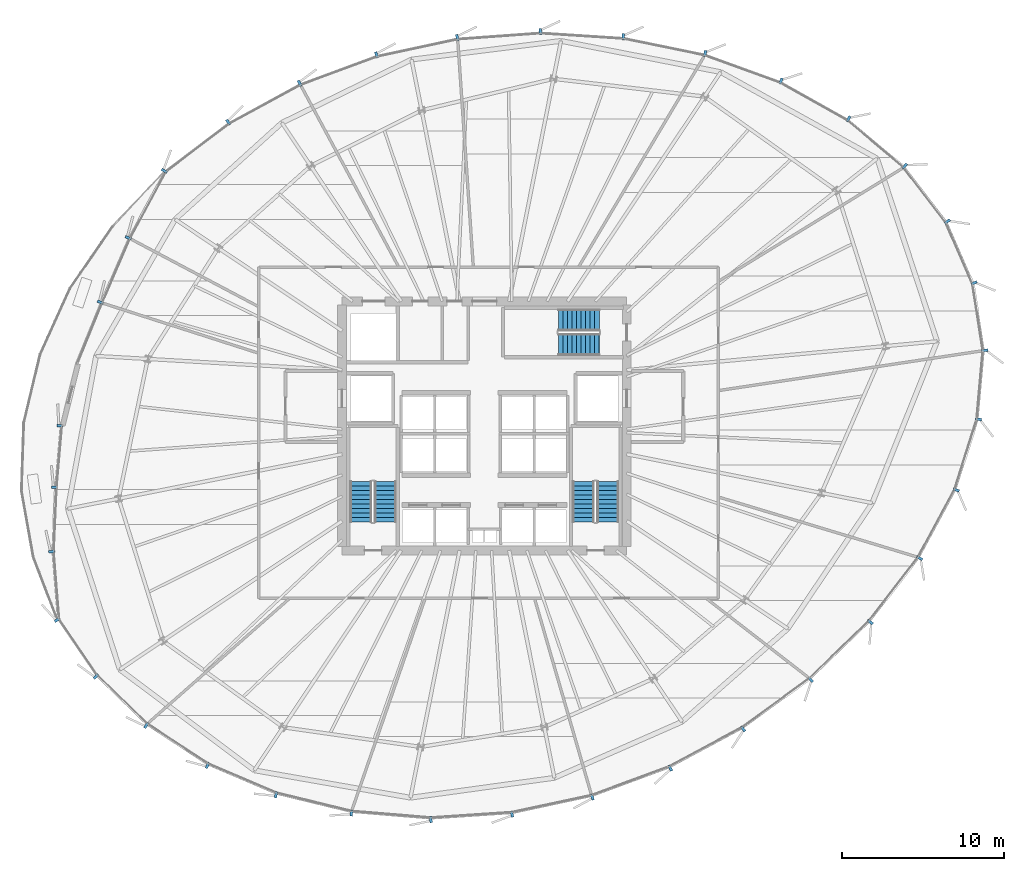
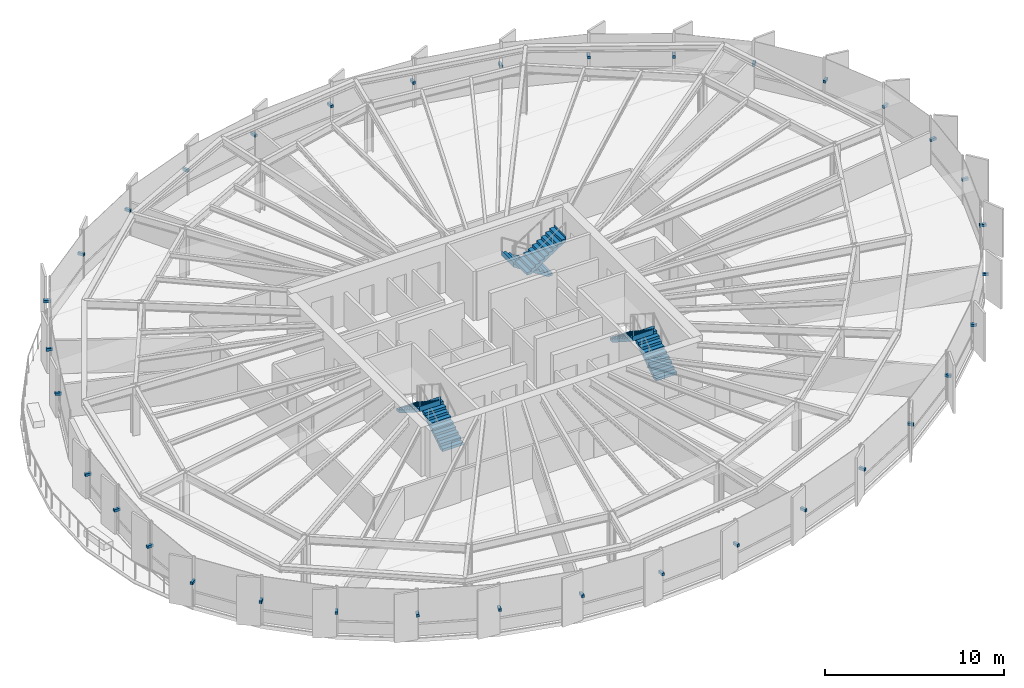
# One storey, part 31 of 35: 35 discrete accessories, 6 stair flights, 3 elements without a shape of their own.
"""IFC4 building model written with IfcOpenShell, lengths in metres."""

from ifc_helpers import new_model, si_unit, direction, frame, origin, origin_2d, place, context, subcontext, project, spatial, polyline, rectangle, outline, extrude, source, transform, mapped, material, type_object, element, aggregate, save


model = new_model("IFC4")

# Units and contexts
model_context = context("Model", 3, precision=1e-05, world=origin(), true_north=direction((0.0, 1.0)))
body_context = subcontext(model_context, "Body", "Model", "MODEL_VIEW")
ifc_project = project(units=[si_unit("LENGTHUNIT", "METRE"), si_unit("AREAUNIT", "SQUARE_METRE"), si_unit("VOLUMEUNIT", "CUBIC_METRE"), si_unit("PLANEANGLEUNIT", "RADIAN"), si_unit("MASSUNIT", "GRAM", prefix="KILO"), si_unit("THERMODYNAMICTEMPERATUREUNIT", "KELVIN")], contexts=[model_context])

# Site, building, storey
site_placement = place(None, origin())
site = spatial("IfcSite", under=ifc_project, at=site_placement, CompositionType="ELEMENT")
building_placement = place(site_placement, origin())
building = spatial("IfcBuilding", under=site, at=building_placement, Name="Kethvar Cultural Tower", CompositionType="ELEMENT")
storey_placement = place(building_placement, frame((0.0, 0.0, 100.0)))
storey = spatial("IfcBuildingStorey", under=building, at=storey_placement, Name="L24", CompositionType="ELEMENT", Elevation=100.0)

# Stair, stair flights
ifc_material_1 = material(Name="Concrete C40/50", Category="concrete")
stair_type = type_object("IfcStairType", Name="ST-DOGLEG-135", PredefinedType="HALF_TURN_STAIR", material=ifc_material_1)
stair_1_placement = place(storey_placement, origin())
stair_1 = element("IfcStair", 1, at=stair_1_placement, inside=storey, type_object=stair_type, Name="L24 Core Exit Stair 1", PredefinedType="HALF_TURN_STAIR")
stair_flight_type = type_object("IfcStairFlightType", Name="FL-STRAIGHT-135", PredefinedType="STRAIGHT", material=ifc_material_1)
stair_flight_1_placement = place(storey_placement, frame((40.675048828125, 21.85009765625, 0.0), z_axis=(0.0, 0.0, 1.0), x_axis=(0.0, 1.0, 0.0)))
stair_flight_1 = element("IfcStairFlight", 2, at=stair_flight_1_placement, type_object=stair_flight_type, Name="ST-01 flight 1", NumberOfRisers=10, NumberOfTreads=9, PredefinedType="STRAIGHT", RiserHeight=0.18, TreadLength=0.28, context=body_context, shape_type="SweptSolid", body=[
    extrude(outline(polyline([(-0.0009765625, -0.0009765625), (-0.0009765625, 0.179931640625), (0.280029296875, 0.179931640625), (0.280029296875, 0.360107421875), (0.56005859375, 0.360107421875), (0.56005859375, 0.5400390625), (0.840087890625, 0.5400390625), (0.840087890625, 0.719970703125), (1.1201171875, 0.719970703125), (1.1201171875, 0.89990234375), (1.39990234375, 0.89990234375), (1.39990234375, 1.080078125), (1.679931640625, 1.080078125), (1.679931640625, 1.260009765625), (1.9599609375, 1.260009765625), (1.9599609375, 1.43994140625), (2.239990234375, 1.43994140625), (2.239990234375, 1.6201171875), (2.52001953125, 1.6201171875), (2.52001953125, 1.800048828125), (2.52099609375, 1.800048828125), (2.52099609375, 1.44189453125), (0.277099609375, 0.0), (0.0, -0.0009765625), (-0.0009765625, -0.0009765625)])), frame((0.0, 0.675048828125, 0.0), z_axis=(0.0, -1.0, 0.0), x_axis=(1.0, 0.0, 0.0)), (0.0, 0.0, 1.0), 1.35009765625),
])
stair_flight_2_placement = place(storey_placement, frame((39.1650390625, 24.3701171875, 1.800048828125), z_axis=(0.0, 0.0, 1.0), x_axis=(0.0, -1.0, 0.0)))
stair_flight_2 = element("IfcStairFlight", 3, at=stair_flight_2_placement, type_object=stair_flight_type, Name="ST-01 flight 2", NumberOfRisers=10, NumberOfTreads=9, PredefinedType="STRAIGHT", RiserHeight=0.18, TreadLength=0.28, context=body_context, shape_type="SweptSolid", body=[
    extrude(outline(polyline([(-0.0009765625, -0.0009765625), (-0.0009765625, 0.179931640625), (0.280029296875, 0.179931640625), (0.280029296875, 0.360107421875), (0.56005859375, 0.360107421875), (0.56005859375, 0.5400390625), (0.840087890625, 0.5400390625), (0.840087890625, 0.719970703125), (1.1201171875, 0.719970703125), (1.1201171875, 0.89990234375), (1.39990234375, 0.89990234375), (1.39990234375, 1.080078125), (1.679931640625, 1.080078125), (1.679931640625, 1.260009765625), (1.9599609375, 1.260009765625), (1.9599609375, 1.43994140625), (2.239990234375, 1.43994140625), (2.239990234375, 1.6201171875), (2.52001953125, 1.6201171875), (2.52001953125, 1.800048828125), (2.52099609375, 1.800048828125), (2.52099609375, 1.44189453125), (0.277099609375, 0.0), (0.0, -0.0009765625), (-0.0009765625, -0.0009765625)])), frame((0.0, 0.675048828125, 0.0), z_axis=(0.0, -1.0, 0.0), x_axis=(1.0, 0.0, 0.0)), (0.0, 0.0, 1.0), 1.35009765625),
])
aggregate(stair_1, [stair_flight_1, stair_flight_2])

stair_2_placement = place(storey_placement, origin())
stair_2 = element("IfcStair", 4, at=stair_2_placement, inside=storey, type_object=stair_type, Name="L24 Core Exit Stair 2", PredefinedType="HALF_TURN_STAIR")
stair_flight_3_placement = place(storey_placement, frame((54.43505859375, 21.85009765625, 0.0), z_axis=(0.0, 0.0, 1.0), x_axis=(0.0, 1.0, 0.0)))
stair_flight_3 = element("IfcStairFlight", 5, at=stair_flight_3_placement, type_object=stair_flight_type, Name="ST-02 flight 1", NumberOfRisers=10, NumberOfTreads=9, PredefinedType="STRAIGHT", RiserHeight=0.18, TreadLength=0.28, context=body_context, shape_type="SweptSolid", body=[
    extrude(outline(polyline([(-0.0009765625, -0.0009765625), (-0.0009765625, 0.179931640625), (0.280029296875, 0.179931640625), (0.280029296875, 0.360107421875), (0.56005859375, 0.360107421875), (0.56005859375, 0.5400390625), (0.840087890625, 0.5400390625), (0.840087890625, 0.719970703125), (1.1201171875, 0.719970703125), (1.1201171875, 0.89990234375), (1.39990234375, 0.89990234375), (1.39990234375, 1.080078125), (1.679931640625, 1.080078125), (1.679931640625, 1.260009765625), (1.9599609375, 1.260009765625), (1.9599609375, 1.43994140625), (2.239990234375, 1.43994140625), (2.239990234375, 1.6201171875), (2.52001953125, 1.6201171875), (2.52001953125, 1.800048828125), (2.52099609375, 1.800048828125), (2.52099609375, 1.44189453125), (0.277099609375, 0.0), (0.0, -0.0009765625), (-0.0009765625, -0.0009765625)])), frame((0.0, 0.675048828125, 0.0), z_axis=(0.0, -1.0, 0.0), x_axis=(1.0, 0.0, 0.0)), (0.0, 0.0, 1.0), 1.35009765625),
])
stair_flight_4_placement = place(storey_placement, frame((52.925048828125, 24.3701171875, 1.800048828125), z_axis=(0.0, 0.0, 1.0), x_axis=(0.0, -1.0, 0.0)))
stair_flight_4 = element("IfcStairFlight", 6, at=stair_flight_4_placement, type_object=stair_flight_type, Name="ST-02 flight 2", NumberOfRisers=10, NumberOfTreads=9, PredefinedType="STRAIGHT", RiserHeight=0.18, TreadLength=0.28, context=body_context, shape_type="SweptSolid", body=[
    extrude(outline(polyline([(-0.0009765625, -0.0009765625), (-0.0009765625, 0.179931640625), (0.280029296875, 0.179931640625), (0.280029296875, 0.360107421875), (0.56005859375, 0.360107421875), (0.56005859375, 0.5400390625), (0.840087890625, 0.5400390625), (0.840087890625, 0.719970703125), (1.1201171875, 0.719970703125), (1.1201171875, 0.89990234375), (1.39990234375, 0.89990234375), (1.39990234375, 1.080078125), (1.679931640625, 1.080078125), (1.679931640625, 1.260009765625), (1.9599609375, 1.260009765625), (1.9599609375, 1.43994140625), (2.239990234375, 1.43994140625), (2.239990234375, 1.6201171875), (2.52001953125, 1.6201171875), (2.52001953125, 1.800048828125), (2.52099609375, 1.800048828125), (2.52099609375, 1.44189453125), (0.277099609375, 0.0), (0.0, -0.0009765625), (-0.0009765625, -0.0009765625)])), frame((0.0, 0.675048828125, 0.0), z_axis=(0.0, -1.0, 0.0), x_axis=(1.0, 0.0, 0.0)), (0.0, 0.0, 1.0), 1.35009765625),
])
aggregate(stair_2, [stair_flight_3, stair_flight_4])

stair_3_placement = place(storey_placement, origin())
stair_3 = element("IfcStair", 7, at=stair_3_placement, inside=storey, type_object=stair_type, Name="L24 Core Exit Stair 3", PredefinedType="HALF_TURN_STAIR")
stair_flight_5_placement = place(storey_placement, frame((53.89990234375, 34.3349609375, 0.0), z_axis=(0.0, 0.0, 1.0), x_axis=(-1.0, 0.0, 0.0)))
stair_flight_5 = element("IfcStairFlight", 8, at=stair_flight_5_placement, type_object=stair_flight_type, Name="ST-03 flight 1", NumberOfRisers=10, NumberOfTreads=9, PredefinedType="STRAIGHT", RiserHeight=0.18, TreadLength=0.28, context=body_context, shape_type="SweptSolid", body=[
    extrude(outline(polyline([(-0.0009765625, -0.0009765625), (-0.0009765625, 0.179931640625), (0.280029296875, 0.179931640625), (0.280029296875, 0.360107421875), (0.56005859375, 0.360107421875), (0.56005859375, 0.5400390625), (0.840087890625, 0.5400390625), (0.840087890625, 0.719970703125), (1.1201171875, 0.719970703125), (1.1201171875, 0.89990234375), (1.39990234375, 0.89990234375), (1.39990234375, 1.080078125), (1.679931640625, 1.080078125), (1.679931640625, 1.260009765625), (1.9599609375, 1.260009765625), (1.9599609375, 1.43994140625), (2.239990234375, 1.43994140625), (2.239990234375, 1.6201171875), (2.52001953125, 1.6201171875), (2.52001953125, 1.800048828125), (2.52099609375, 1.800048828125), (2.52099609375, 1.44189453125), (0.277099609375, 0.0), (0.0, -0.0009765625), (-0.0009765625, -0.0009765625)])), frame((0.0, 0.675048828125, 0.0), z_axis=(0.0, -1.0, 0.0), x_axis=(1.0, 0.0, 0.0)), (0.0, 0.0, 1.0), 1.35009765625),
])
stair_flight_6_placement = place(storey_placement, frame((51.3798828125, 32.824951171875, 1.800048828125), z_axis=(0.0, 0.0, 1.0), x_axis=(1.0, 0.0, 0.0)))
stair_flight_6 = element("IfcStairFlight", 9, at=stair_flight_6_placement, type_object=stair_flight_type, Name="ST-03 flight 2", NumberOfRisers=10, NumberOfTreads=9, PredefinedType="STRAIGHT", RiserHeight=0.18, TreadLength=0.28, context=body_context, shape_type="SweptSolid", body=[
    extrude(outline(polyline([(-0.0009765625, -0.0009765625), (-0.0009765625, 0.179931640625), (0.280029296875, 0.179931640625), (0.280029296875, 0.360107421875), (0.56005859375, 0.360107421875), (0.56005859375, 0.5400390625), (0.840087890625, 0.5400390625), (0.840087890625, 0.719970703125), (1.1201171875, 0.719970703125), (1.1201171875, 0.89990234375), (1.39990234375, 0.89990234375), (1.39990234375, 1.080078125), (1.679931640625, 1.080078125), (1.679931640625, 1.260009765625), (1.9599609375, 1.260009765625), (1.9599609375, 1.43994140625), (2.239990234375, 1.43994140625), (2.239990234375, 1.6201171875), (2.52001953125, 1.6201171875), (2.52001953125, 1.800048828125), (2.52099609375, 1.800048828125), (2.52099609375, 1.44189453125), (0.277099609375, 0.0), (0.0, -0.0009765625), (-0.0009765625, -0.0009765625)])), frame((0.0, 0.675048828125, 0.0), z_axis=(0.0, -1.0, 0.0), x_axis=(1.0, 0.0, 0.0)), (0.0, 0.0, 1.0), 1.35009765625),
])
aggregate(stair_3, [stair_flight_5, stair_flight_6])

# Discrete accessories
ifc_material_2 = material(Name="Steel S355J2", Category="steel")
discrete_accessory_type = type_object("IfcDiscreteAccessoryType", Name="Steel Fin Bracket BRK-01", PredefinedType="BRACKET", material=ifc_material_2)
shared_shape = source(origin(), body_context, "Body", "SweptSolid", [
    extrude(rectangle(XDim=0.3798828125, YDim=0.159912109375, at=origin_2d()), origin(), (0.0, 0.0, 1.0), 0.179931640625),
])
for number, where, z_axis, x_axis, name in (
    (10, (77.076904296875, 36.637939453125, 1.5849609375), (0.0, 0.0, 1.0), (0.916920828835, 0.39906915898, 0.0), "L24 Terracotta Fin Bracket 1.1"),
    (11, (75.422607421875, 40.4384765625, 1.5849609375), (0.0, 0.0, 1.0), (0.793034484816, 0.60917674438, 0.0), "L24 Terracotta Fin Bracket 1.2"),
    (12, (72.79150390625, 43.86376953125, 1.5849609375), (0.0, 0.0, 1.0), (0.642787609687, 0.766044443119, 0.0), "L24 Terracotta Fin Bracket 1.3"),
    (13, (69.31201171875, 46.78369140625, 1.5849609375), (0.0, 0.0, 1.0), (0.488925770283, 0.872325392932, 0.0), "L24 Terracotta Fin Bracket 1.4"),
    (14, (65.13671875, 49.123291015625, 1.5849609375), (0.0, 0.0, 1.0), (0.341364030823, 0.939931166873, 0.0), "L24 Terracotta Fin Bracket 1.5"),
    (15, (60.4453125, 50.82666015625, 1.5849609375), (0.0, 0.0, 1.0), (0.20090694995, 0.979610329397, 0.0), "L24 Terracotta Fin Bracket 1.6"),
    (16, (55.3876953125, 51.8583984375, 1.5849609375), (0.0, 0.0, 1.0), (0.064358138139, 0.997926866086, 0.0), "L24 Terracotta Fin Bracket 2.1"),
    (17, (50.264404296875, 52.188720703125, 1.5849609375), (0.0, 0.0, 1.0), (-0.072019693281, 0.997403210231, 0.0), "L24 Terracotta Fin Bracket 2.2"),
    (18, (45.123046875, 51.8173828125, 1.5849609375), (0.0, 0.0, 1.0), (-0.209959860863, 0.977710006508, 0.0), "L24 Terracotta Fin Bracket 2.3"),
    (19, (40.1328125, 50.745361328125, 1.5849609375), (0.0, 0.0, 1.0), (-0.346935651573, 0.937888934612, 0.0), "L24 Terracotta Fin Bracket 2.4"),
    (20, (35.37451171875, 48.985107421875, 1.5849609375), (0.0, 0.0, 1.0), (-0.478538613714, 0.878066509545, 0.0), "L24 Terracotta Fin Bracket 2.5"),
    (21, (30.963134765625, 46.580810546875, 1.5849609375), (0.0, 0.0, 1.0), (-0.603486360302, 0.797373320929, 0.0), "L24 Terracotta Fin Bracket 2.6"),
    (22, (27.012451171875, 43.5693359375, 1.5849609375), (0.0, 0.0, 1.0), (-0.879814543441, 0.475317124823, 0.0), "L24 Terracotta Fin Bracket 3.1"),
    (23, (24.77587890625, 39.43017578125, 1.5849609375), (0.0, 0.0, 1.0), (-0.917754625684, 0.397147890635, 0.0), "L24 Terracotta Fin Bracket 3.2"),
    (24, (23.052978515625, 35.447509765625, 1.5849609375), (0.0, 0.0, 1.0), (-0.925804625051, 0.378002375964, 0.0), "L24 Terracotta Fin Bracket 3.3"),
    (25, (20.561279296875, 27.8125, 1.5849609375), (0.0, 0.0, 1.0), (-0.996194698092, 0.087155742748, 0.0), "L24 Terracotta Fin Bracket 4.1"),
    (26, (20.228759765625, 24.01171875, 1.5849609375), (0.0, 0.0, 1.0), (-0.999025245578, 0.044142481788, 0.0), "L24 Terracotta Fin Bracket 4.2"),
    (27, (20.052490234375, 20.03125, 1.5849609375), (0.0, 0.0, 1.0), (-0.996750823024, -0.080546860903, 0.0), "L24 Terracotta Fin Bracket 4.3"),
    (28, (20.395263671875, 15.806396484375, 1.5849609375), (0.0, 0.0, 1.0), (-0.826098294496, -0.563526048938, 0.0), "L24 Terracotta Fin Bracket 4.4"),
    (29, (22.78076171875, 12.309814453125, 1.5849609375), (0.0, 0.0, 1.0), (-0.696789633789, -0.717275544155, 0.0), "L24 Terracotta Fin Bracket 4.5"),
    (30, (25.89599609375, 9.283935546875, 1.5849609375), (0.0, 0.0, 1.0), (-0.549022817998, -0.835807361368, 0.0), "L24 Terracotta Fin Bracket 4.6"),
    (31, (29.682373046875, 6.8056640625, 1.5849609375), (0.0, 0.0, 1.0), (-0.392979177488, -0.919547370211, 0.0), "L24 Terracotta Fin Bracket 5.1"),
    (32, (33.91796875, 4.9951171875, 1.5849609375), (0.0, 0.0, 1.0), (-0.236159819165, -0.971714227441, 0.0), "L24 Terracotta Fin Bracket 5.2"),
    (33, (38.580810546875, 3.862548828125, 1.5849609375), (0.0, 0.0, 1.0), (-0.082286395708, -0.996608724165, 0.0), "L24 Terracotta Fin Bracket 5.3"),
    (34, (43.4931640625, 3.45703125, 1.5849609375), (0.0, 0.0, 1.0), (0.066448048599, -0.997789886117, 0.0), "L24 Terracotta Fin Bracket 5.4"),
    (35, (48.506103515625, 3.791015625, 1.5849609375), (0.0, 0.0, 1.0), (0.209618562904, -0.977783236759, 0.0), "L24 Terracotta Fin Bracket 5.5"),
    (36, (53.467041015625, 4.8544921875, 1.5849609375), (0.0, 0.0, 1.0), (0.346608245445, -0.938009980858, 0.0), "L24 Terracotta Fin Bracket 5.6"),
    (37, (58.288818359375, 6.641845703125, 1.5849609375), (0.0, 0.0, 1.0), (0.473627127217, -0.88072546481, 0.0), "L24 Terracotta Fin Bracket 6.1"),
    (38, (62.79443359375, 9.06494140625, 1.5849609375), (0.0, 0.0, 1.0), (0.589055327542, -0.808092705755, 0.0), "L24 Terracotta Fin Bracket 6.2"),
    (39, (66.974365234375, 12.1123046875, 1.5849609375), (0.0, 0.0, 1.0), (0.6945328114, -0.719461030139, 0.0), "L24 Terracotta Fin Bracket 6.3"),
    (40, (70.66015625, 15.67041015625, 1.5849609375), (0.0, 0.0, 1.0), (0.791863488633, -0.610698137684, 0.0), "L24 Terracotta Fin Bracket 6.4"),
    (41, (73.70849609375, 19.623046875, 1.5849609375), (0.0, 0.0, 1.0), (0.880229000821, -0.474549160903, 0.0), "L24 Terracotta Fin Bracket 6.5"),
    (42, (75.97998046875, 23.835693359375, 1.5849609375), (0.0, 0.0, 1.0), (0.953190667793, -0.30236989075, 0.0), "L24 Terracotta Fin Bracket 6.6"),
    (43, (77.3564453125, 28.20458984375, 1.5849609375), (0.0, 0.0, 1.0), (0.995994383933, -0.089415810539, 0.0), "L24 Terracotta Fin Bracket 7.1"),
    (44, (77.73876953125, 32.46826171875, 1.5849609375), (0.0, 0.0, 1.0), (0.988013809691, 0.15436551383, 0.0), "L24 Terracotta Fin Bracket 7.2"),
):
    element("IfcDiscreteAccessory", number, at=place(storey_placement, frame(where, z_axis=z_axis, x_axis=x_axis)), inside=storey, type_object=discrete_accessory_type, Name=name, PredefinedType="BRACKET", context=body_context, shape_type="MappedRepresentation", body=[
        mapped(shared_shape, transform((0.0, 0.0, 0.0), scale=1.0)),
    ])

save(model, "model.ifc")
